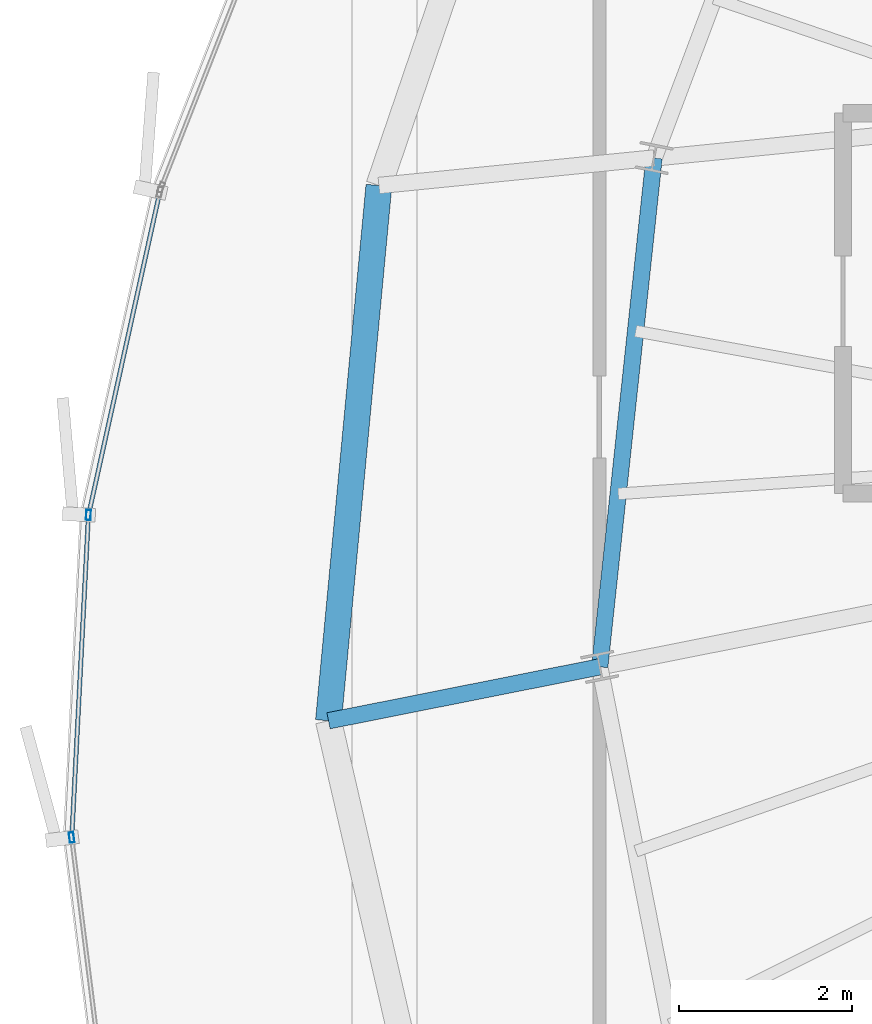
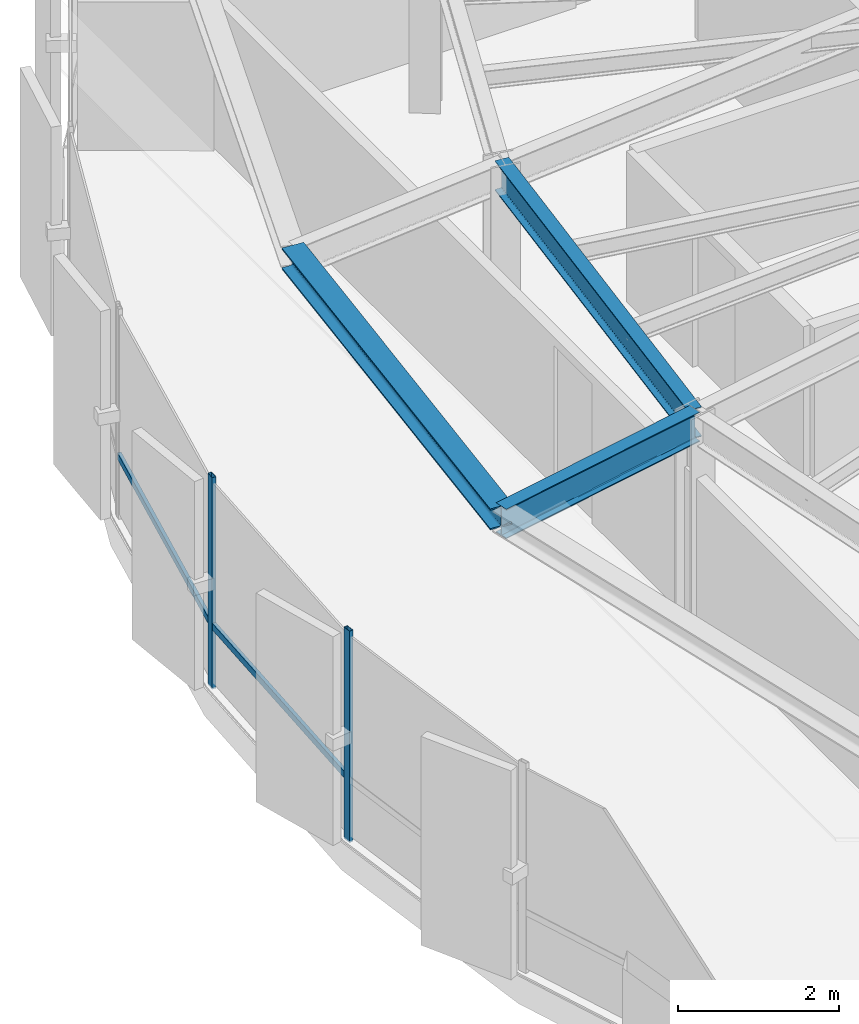
# One storey, part 9 of 36: 4 members, 3 beams, 1 element without a shape of its own.
"""IFC4 building model written with IfcOpenShell, lengths in metres."""

from ifc_helpers import new_model, si_unit, direction, frame, origin, origin_2d, place, context, subcontext, project, spatial, hollow_rectangle, i_section, extrude, source, transform, mapped, material, layer, layer_set, material_profile, profile_set, type_object, element, aggregate, save


model = new_model("IFC4")

# Units and contexts
model_context = context("Model", 3, precision=1e-05, world=origin(), true_north=direction((0.0, 1.0)))
body_context = subcontext(model_context, "Body", "Model", "MODEL_VIEW")
ifc_project = project(units=[si_unit("LENGTHUNIT", "METRE"), si_unit("AREAUNIT", "SQUARE_METRE"), si_unit("VOLUMEUNIT", "CUBIC_METRE"), si_unit("PLANEANGLEUNIT", "RADIAN"), si_unit("MASSUNIT", "GRAM", prefix="KILO"), si_unit("THERMODYNAMICTEMPERATUREUNIT", "KELVIN")], contexts=[model_context])

# Site, building, storey
site_placement = place(None, origin())
site = spatial("IfcSite", under=ifc_project, at=site_placement, CompositionType="ELEMENT")
building_placement = place(site_placement, origin())
building = spatial("IfcBuilding", under=site, at=building_placement, Name="Kethvar Cultural Tower", CompositionType="ELEMENT")
storey_placement = place(building_placement, frame((0.0, 0.0, 228.39990234375)))
storey = spatial("IfcBuildingStorey", under=building, at=storey_placement, Name="L59", CompositionType="ELEMENT", Elevation=228.39990234375)

# Beams
ifc_material_1 = material(Name="Steel S355J2", Category="steel")
ifc_material_profile_1 = material_profile(ifc_material_1, i_section(OverallWidth=0.18994140625, OverallDepth=0.449951171875, WebThickness=0.009521484375, FlangeThickness=0.0146484375, FilletRadius=0.02099609375, at=origin_2d()), Name="Steel S355J2 — IPE450")
ifc_profile_set_1 = profile_set([ifc_material_profile_1], Name="Steel S355J2 — IPE450")
beam_type_1 = type_object("IfcBeamType", Name="BM-IPE450", PredefinedType="BEAM", material=ifc_profile_set_1)
shared_shape_1 = source(origin(), body_context, "Body", "SweptSolid", [
    extrude(i_section(OverallWidth=0.18994140625, OverallDepth=0.449951171875, WebThickness=0.009521484375, FlangeThickness=0.0146484375, FilletRadius=0.02099609375, at=origin_2d()), origin(), (0.0, 0.0, 1.0), 3.2001953125),
])
beam_1_placement = place(storey_placement, frame((31.68310546875, 24.79296875, 2.983154296875), z_axis=(-0.980788453702, -0.195074368086, 0.0), x_axis=(0.195074368086, -0.980788453702, 0.0)))
element("IfcBeam", 1, at=beam_1_placement, inside=storey, type_object=beam_type_1, Name="L59 Perimeter Cantilever Beam RC-09", PredefinedType="BEAM", context=body_context, shape_type="MappedRepresentation", body=[
    mapped(shared_shape_1, transform((0.0, 0.0, 0.0), scale=1.0)),
])
shared_shape_2 = source(origin(), body_context, "Body", "SweptSolid", [
    extrude(i_section(OverallWidth=0.18994140625, OverallDepth=0.449951171875, WebThickness=0.009521484375, FlangeThickness=0.0146484375, FilletRadius=0.02099609375, at=origin_2d()), origin(), (0.0, 0.0, 1.0), 5.92236328125),
])
beam_2_placement = place(storey_placement, frame((32.3125, 30.681884765625, 2.983154296875), z_axis=(-0.106272578913, -0.994337034899, 0.0), x_axis=(0.994337034899, -0.106272578913, 0.0)))
element("IfcBeam", 2, at=beam_2_placement, inside=storey, type_object=beam_type_1, Name="L59 Column Ring Tie Beam CR-08", PredefinedType="BEAM", context=body_context, shape_type="MappedRepresentation", body=[
    mapped(shared_shape_2, transform((0.0, 0.0, 0.0), scale=1.0)),
])
ifc_material_profile_2 = material_profile(ifc_material_1, i_section(OverallWidth=0.300048828125, OverallDepth=0.320068359375, WebThickness=0.011474609375, FlangeThickness=0.0205078125, FilletRadius=0.027099609375, at=origin_2d()), Name="Steel S355J2 — HEB320")
ifc_profile_set_2 = profile_set([ifc_material_profile_2], Name="Steel S355J2 — HEB320")
beam_type_2 = type_object("IfcBeamType", Name="BM-SP320", PredefinedType="SPANDREL", material=ifc_profile_set_2)
shared_shape_3 = source(origin(), body_context, "Body", "SweptSolid", [
    extrude(i_section(OverallWidth=0.300048828125, OverallDepth=0.320068359375, WebThickness=0.011474609375, FlangeThickness=0.0205078125, FilletRadius=0.027099609375, at=origin_2d()), origin(), (0.0, 0.0, 1.0), 6.222412109375),
])
beam_3_placement = place(storey_placement, frame((29.128173828125, 30.36376953125, 3.048095703125), z_axis=(-0.093811063392, -0.995590018223, 0.0), x_axis=(0.995590018223, -0.093811063392, 0.0)))
element("IfcBeam", 3, at=beam_3_placement, inside=storey, type_object=beam_type_2, Name="L59 Perimeter Spandrel Beam SP-08", PredefinedType="SPANDREL", context=body_context, shape_type="MappedRepresentation", body=[
    mapped(shared_shape_3, transform((0.0, 0.0, 0.0), scale=1.0)),
])

# Curtain wall, members
ifc_material_2 = material(Name="Aluminium 6063-T6", Category="aluminium")
ifc_layer = layer(ifc_material_2, 0.179931640625, Name="Aluminium 6063-T6", Category="aluminium")
ifc_layer_set = layer_set([ifc_layer], Name="Aluminium 6063-T6 (180 mm)")
curtain_wall_type = type_object("IfcCurtainWallType", Name="CW-SYS-05-Z56", PredefinedType="NOTDEFINED", material=ifc_layer_set)
curtain_wall_placement = place(storey_placement, origin())
curtain_wall = element("IfcCurtainWall", 4, at=curtain_wall_placement, inside=storey, type_object=curtain_wall_type, Name="L59 Curtain Wall Run 03", PredefinedType="NOTDEFINED")
ifc_material_profile_3 = material_profile(ifc_material_2, hollow_rectangle(XDim=0.054931640625, YDim=0.1201171875, WallThickness=0.00390625, at=origin_2d()), Name="Aluminium 6063-T6 — RHS120x55x4")
ifc_profile_set_3 = profile_set([ifc_material_profile_3], Name="Aluminium 6063-T6 — RHS120x55x4")
member_type_1 = type_object("IfcMemberType", Name="CW-SYS-05-Z56-MUL", PredefinedType="MULLION", material=ifc_profile_set_3)
shared_shape_4 = source(origin(), body_context, "Body", "SweptSolid", [
    extrude(hollow_rectangle(XDim=0.054931640625, YDim=0.1201171875, WallThickness=0.00390625, at=origin_2d()), origin(), (0.0, 0.0, 1.0), 3.210205078125),
])
member_1_placement = place(storey_placement, frame((25.7666015625, 26.55126953125, 0.0), z_axis=(0.0, 0.0, 1.0), x_axis=(0.998669431414, -0.051569048457, 0.0)))
member_1 = element("IfcMember", 5, at=member_1_placement, type_object=member_type_1, Name="CW-L59-R03 Mullion 2", PredefinedType="MULLION", context=body_context, shape_type="MappedRepresentation", body=[
    mapped(shared_shape_4, transform((0.0, 0.0, 0.0), scale=1.0)),
])
member_2_placement = place(storey_placement, frame((25.572265625, 22.8193359375, 0.0), z_axis=(0.0, 0.0, 1.0), x_axis=(0.992119075665, 0.125298602152, 0.0)))
member_2 = element("IfcMember", 6, at=member_2_placement, type_object=member_type_1, Name="CW-L59-R03 Mullion 3", PredefinedType="MULLION", context=body_context, shape_type="MappedRepresentation", body=[
    mapped(shared_shape_4, transform((0.0, 0.0, 0.0), scale=1.0)),
])
ifc_material_profile_4 = material_profile(ifc_material_2, hollow_rectangle(XDim=0.050048828125, YDim=0.10009765625, WallThickness=0.00390625, at=origin_2d()), Name="Aluminium 6063-T6 — RHS100x50x4")
ifc_profile_set_4 = profile_set([ifc_material_profile_4], Name="Aluminium 6063-T6 — RHS100x50x4")
member_type_2 = type_object("IfcMemberType", Name="CW-SYS-05-Z56-TRN", PredefinedType="USERDEFINED", material=ifc_profile_set_4)
shared_shape_5 = source(origin(), body_context, "Body", "SweptSolid", [
    extrude(hollow_rectangle(XDim=0.050048828125, YDim=0.10009765625, WallThickness=0.00390625, at=origin_2d()), origin(), (0.0, 0.0, 1.0), 3.799560546875),
])
member_3_placement = place(storey_placement, frame((26.591552734375, 30.28369140625, 0.9501953125), z_axis=(-0.215515082955, -0.97650051153, 0.0), x_axis=(0.97650051153, -0.215515082955, 0.0)))
member_3 = element("IfcMember", 7, at=member_3_placement, type_object=member_type_2, Name="CW-L59-R03 Transom 1", ObjectType="TRANSOM", PredefinedType="USERDEFINED", context=body_context, shape_type="MappedRepresentation", body=[
    mapped(shared_shape_5, transform((0.0, 0.0, 0.0), scale=1.0)),
])
shared_shape_6 = source(origin(), body_context, "Body", "SweptSolid", [
    extrude(hollow_rectangle(XDim=0.050048828125, YDim=0.10009765625, WallThickness=0.00390625, at=origin_2d()), origin(), (0.0, 0.0, 1.0), 3.67529296875),
])
member_4_placement = place(storey_placement, frame((25.764404296875, 26.51171875, 0.9501953125), z_axis=(-0.051547714081, -0.998670532845, 0.0), x_axis=(0.998670532845, -0.051547714081, 0.0)))
member_4 = element("IfcMember", 8, at=member_4_placement, type_object=member_type_2, Name="CW-L59-R03 Transom 2", ObjectType="TRANSOM", PredefinedType="USERDEFINED", context=body_context, shape_type="MappedRepresentation", body=[
    mapped(shared_shape_6, transform((0.0, 0.0, 0.0), scale=1.0)),
])
aggregate(curtain_wall, [member_1, member_2, member_3, member_4])

save(model, "model.ifc")
